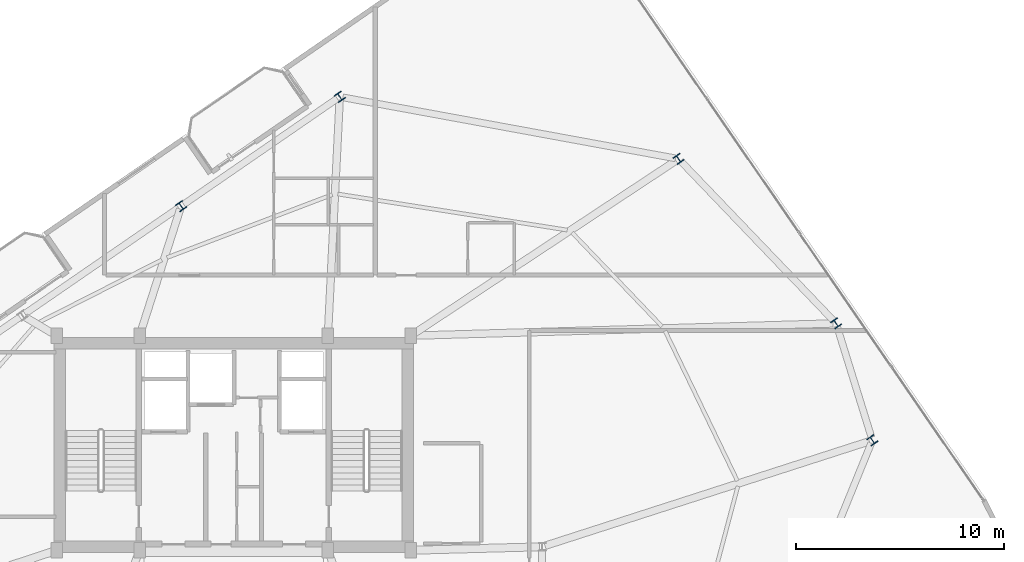
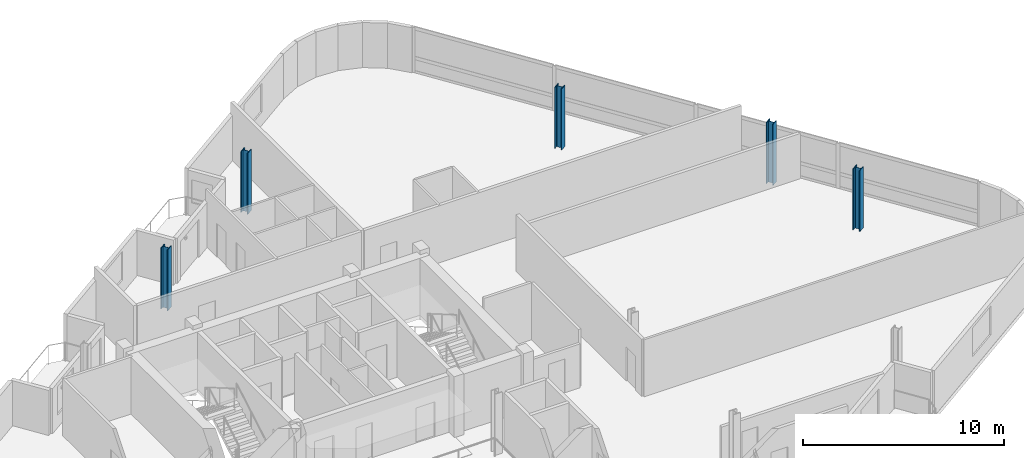
# One storey, part 2 of 21: 5 columns.
"""IFC4 building model written with IfcOpenShell, lengths in metres."""

from ifc_helpers import new_model, si_unit, direction, frame, origin, origin_2d, place, context, subcontext, project, spatial, i_section, extrude, material, material_profile, profile_set, type_object, element, save


model = new_model("IFC4")

# Units and contexts
model_context = context("Model", 3, precision=1e-05, world=origin(), true_north=direction((0.0, 1.0)))
body_context = subcontext(model_context, "Body", "Model", "MODEL_VIEW")
ifc_project = project(units=[si_unit("LENGTHUNIT", "METRE"), si_unit("AREAUNIT", "SQUARE_METRE"), si_unit("VOLUMEUNIT", "CUBIC_METRE"), si_unit("PLANEANGLEUNIT", "RADIAN"), si_unit("MASSUNIT", "GRAM", prefix="KILO")], contexts=[model_context])

# Site, building, storey
site_placement = place(None, origin())
site = spatial("IfcSite", under=ifc_project, at=site_placement, CompositionType="ELEMENT")
building_placement = place(site_placement, origin())
building = spatial("IfcBuilding", under=site, at=building_placement, Name="Varnelok Gate Tower", CompositionType="ELEMENT")
storey_placement = place(building_placement, frame((0.0, 0.0, 276.699951171875)))
storey = spatial("IfcBuildingStorey", under=building, at=storey_placement, Name="L71", CompositionType="ELEMENT", Elevation=276.699951171875)

# Columns
ifc_material = material(Name="Structural Steel ASTM A992 Grade 50", Category="steel")
ifc_material_profile = material_profile(ifc_material, i_section(OverallWidth=0.40087890625, OverallDepth=0.39892578125, WebThickness=0.02490234375, FlangeThickness=0.03955078125, FilletRadius=0.02197265625, at=origin_2d()), Name="W14X211")
ifc_profile_set = profile_set([ifc_material_profile], Name="Structural Steel ASTM A992 Grade 50")
column_type = type_object("IfcColumnType", Name="COL-W14X211", PredefinedType="COLUMN", material=ifc_profile_set)
for number, where, z_axis, x_axis, name in (
    (1, (69.856689453125, 34.031494140625, 0.0), (0.0, 0.0, 1.0), (0.823532597628, 0.567268949127, 0.0), "L71 B6 Perimeter Column PC06"),
    (2, (68.115478515625, 39.644287109375, 0.0), (0.0, 0.0, 1.0), (0.823532597628, 0.567268949127, 0.0), "L71 B6 Perimeter Column PC07"),
    (3, (60.5537109375, 47.537353515625, 0.0), (0.0, 0.0, 1.0), (0.823532597628, 0.567268949127, 0.0), "L71 B6 Perimeter Column PC08"),
    (4, (44.29248046875, 50.519287109375, 0.0), (0.0, 0.0, 1.0), (0.823532597628, 0.567268949127, 0.0), "L71 B6 Perimeter Column PC09"),
    (5, (36.6748046875, 45.27197265625, 0.0), (0.0, 0.0, 1.0), (0.823532597628, 0.567268949127, 0.0), "L71 B6 Perimeter Column PC10"),
):
    element("IfcColumn", number, at=place(storey_placement, frame(where, z_axis=z_axis, x_axis=x_axis)), inside=storey, type_object=column_type, Name=name, PredefinedType="COLUMN", context=body_context, shape_type="SweptSolid", body=[
        extrude(i_section(OverallWidth=0.40087890625, OverallDepth=0.39892578125, WebThickness=0.02490234375, FlangeThickness=0.03955078125, FilletRadius=0.02197265625, at=origin_2d()), origin(), (0.0, 0.0, 1.0), 3.699951171875),
    ])

save(model, "model.ifc")
